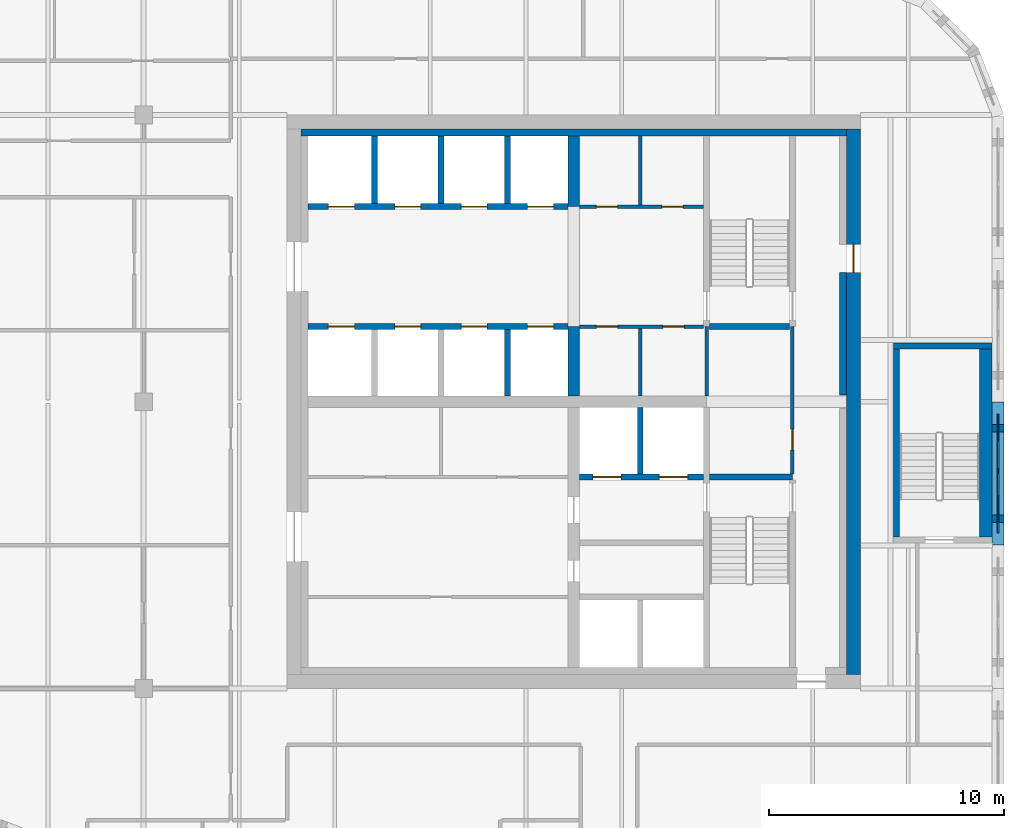
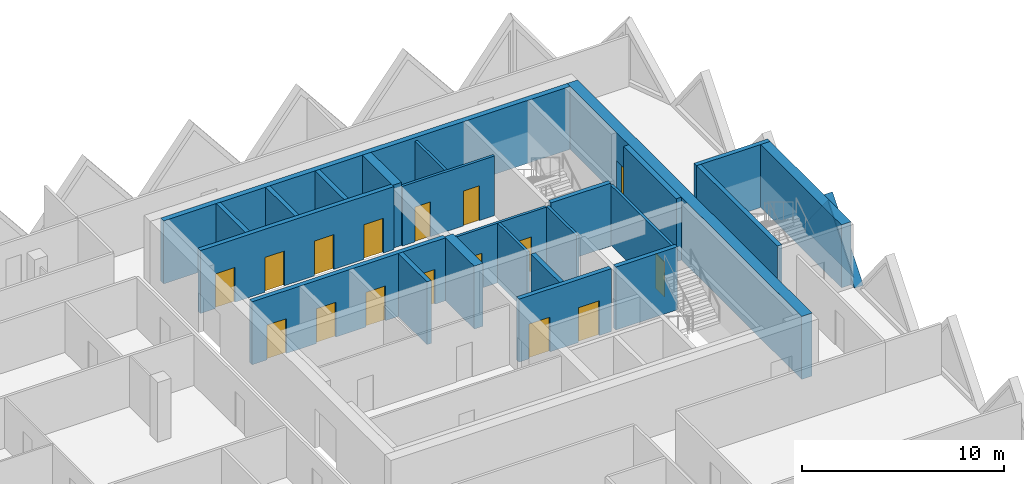
# One storey, part 8 of 12: 25 walls, 16 doors, 1 plate, 17 openings.
"""IFC4 building model written with IfcOpenShell, lengths in metres."""

from ifc_helpers import new_model, si_unit, direction, frame, frame_2d, origin, place, context, subcontext, project, spatial, polyline, rectangle, outline, extrude, source, transform, mapped, material, layer, layer_set, type_object, element, fill, save


model = new_model("IFC4")

# Units and contexts
model_context = context("Model", 3, precision=1e-05, world=origin(), true_north=direction((0.0, 1.0)))
body_context = subcontext(model_context, "Body", "Model", "MODEL_VIEW")
ifc_project = project(units=[si_unit("LENGTHUNIT", "METRE"), si_unit("AREAUNIT", "SQUARE_METRE"), si_unit("VOLUMEUNIT", "CUBIC_METRE"), si_unit("PLANEANGLEUNIT", "RADIAN"), si_unit("MASSUNIT", "GRAM", prefix="KILO")], contexts=[model_context])

# Site, building, storey
site_placement = place(None, origin())
site = spatial("IfcSite", under=ifc_project, at=site_placement, CompositionType="ELEMENT")
building_placement = place(site_placement, origin())
building = spatial("IfcBuilding", under=site, at=building_placement, Name="Tessera Gate Towers", CompositionType="ELEMENT")
storey_placement = place(building_placement, frame((0.0, 0.0, 155.39990234375)))
storey = spatial("IfcBuildingStorey", under=building, at=storey_placement, Name="L38", CompositionType="ELEMENT", Elevation=155.39990234375)

# Wall, openings, doors
ifc_material_1 = material(Name="Concrete C40/50", Category="concrete")
ifc_layer_1 = layer(ifc_material_1, 0.25)
ifc_layer_set_1 = layer_set([ifc_layer_1], Name="CORE ENCLOSURE WALL 250")
wall_type_1 = type_object("IfcWallType", Name="CORE ENCLOSURE WALL 250", PredefinedType="SOLIDWALL", material=ifc_layer_set_1)
wall_1_placement = place(storey_placement, frame((31.39990234375, 39.800048828125, 0.0), z_axis=(0.0, 0.0, 1.0), x_axis=(1.0, 0.0, 0.0)))
wall_1 = element("IfcWall", 1, at=wall_1_placement, inside=storey, type_object=wall_type_1, Name="L38 shaft and stair enclosure wall", PredefinedType="SOLIDWALL", context=body_context, shape_type="SweptSolid", body=[
    extrude(rectangle(XDim=11.050048828125, YDim=0.25, at=frame_2d((5.52490234375, 0.0))), origin(), (0.0, 0.0, 1.0), 3.800048828125),
])
shared_shape_1 = source(origin(), body_context, "Body", "SweptSolid", [
    extrude(rectangle(XDim=1.10009765625, YDim=2.10009765625, at=frame_2d((0.550048828125, 1.050048828125))), frame((0.0, 0.135009765625, 0.0), z_axis=(0.0, -1.0, 0.0), x_axis=(1.0, 0.0, 0.0)), (0.0, 0.0, 1.0), 0.27001953125),
])
opening_1_placement = place(wall_1_placement, frame((0.862548828125, 0.0, 0.0)))
opening_1 = element("IfcOpeningElement", 2, at=opening_1_placement, cuts=wall_1, Name="Opening LD-HR1", PredefinedType="OPENING", context=body_context, shape_type="MappedRepresentation", body=[
    mapped(shared_shape_1, transform((0.0, 0.0, 0.0), scale=1.0)),
])
opening_2_placement = place(wall_1_placement, frame((3.6875, 0.0, 0.0)))
opening_2 = element("IfcOpeningElement", 3, at=opening_2_placement, cuts=wall_1, Name="Opening LD-HR2", PredefinedType="OPENING", context=body_context, shape_type="MappedRepresentation", body=[
    mapped(shared_shape_1, transform((0.0, 0.0, 0.0), scale=1.0)),
])
opening_3_placement = place(wall_1_placement, frame((6.512451171875, 0.0, 0.0)))
opening_3 = element("IfcOpeningElement", 4, at=opening_3_placement, cuts=wall_1, Name="Opening LD-HR3", PredefinedType="OPENING", context=body_context, shape_type="MappedRepresentation", body=[
    mapped(shared_shape_1, transform((0.0, 0.0, 0.0), scale=1.0)),
])
opening_4_placement = place(wall_1_placement, frame((9.33740234375, 0.0, 0.0)))
opening_4 = element("IfcOpeningElement", 5, at=opening_4_placement, cuts=wall_1, Name="Opening LD-HR4", PredefinedType="OPENING", context=body_context, shape_type="MappedRepresentation", body=[
    mapped(shared_shape_1, transform((0.0, 0.0, 0.0), scale=1.0)),
])
ifc_material_2 = material(Name="Stainless steel", Category="steel")
door_type_1 = type_object("IfcDoorType", Name="CORE DOOR LD 1100x2100", OperationType="DOUBLE_DOOR_SLIDING", PredefinedType="DOOR", material=ifc_material_2)
shared_shape_2 = source(origin(), body_context, "Body", "SweptSolid", [
    extrude(rectangle(XDim=1.10009765625, YDim=2.10009765625, at=frame_2d((0.550048828125, 1.050048828125))), frame((0.0, 0.02490234375, 0.0), z_axis=(0.0, -1.0, 0.0), x_axis=(1.0, 0.0, 0.0)), (0.0, 0.0, 1.0), 0.050048828125),
])
door_1_placement = place(opening_1_placement, origin())
door_1 = element("IfcDoor", 6, at=door_1_placement, inside=storey, type_object=door_type_1, Name="Landing door HR1 L38", OperationType="DOUBLE_DOOR_SLIDING", OverallHeight=2.10009765625, OverallWidth=1.10009765625, PredefinedType="DOOR", context=body_context, shape_type="MappedRepresentation", body=[
    mapped(shared_shape_2, transform((0.0, 0.0, 0.0), scale=1.0)),
])
fill(opening_1, door_1)
door_2_placement = place(opening_2_placement, origin())
door_2 = element("IfcDoor", 7, at=door_2_placement, inside=storey, type_object=door_type_1, Name="Landing door HR2 L38", OperationType="DOUBLE_DOOR_SLIDING", OverallHeight=2.10009765625, OverallWidth=1.10009765625, PredefinedType="DOOR", context=body_context, shape_type="MappedRepresentation", body=[
    mapped(shared_shape_2, transform((0.0, 0.0, 0.0), scale=1.0)),
])
fill(opening_2, door_2)
door_3_placement = place(opening_3_placement, origin())
door_3 = element("IfcDoor", 8, at=door_3_placement, inside=storey, type_object=door_type_1, Name="Landing door HR3 L38", OperationType="DOUBLE_DOOR_SLIDING", OverallHeight=2.10009765625, OverallWidth=1.10009765625, PredefinedType="DOOR", context=body_context, shape_type="MappedRepresentation", body=[
    mapped(shared_shape_2, transform((0.0, 0.0, 0.0), scale=1.0)),
])
fill(opening_3, door_3)
door_4_placement = place(opening_4_placement, origin())
door_4 = element("IfcDoor", 9, at=door_4_placement, inside=storey, type_object=door_type_1, Name="Landing door HR4 L38", OperationType="DOUBLE_DOOR_SLIDING", OverallHeight=2.10009765625, OverallWidth=1.10009765625, PredefinedType="DOOR", context=body_context, shape_type="MappedRepresentation", body=[
    mapped(shared_shape_2, transform((0.0, 0.0, 0.0), scale=1.0)),
])
fill(opening_4, door_4)

wall_2_placement = place(storey_placement, frame((42.449951171875, 44.89990234375, 0.0), z_axis=(0.0, 0.0, 1.0), x_axis=(-1.0, 0.0, 0.0)))
wall_2 = element("IfcWall", 10, at=wall_2_placement, inside=storey, type_object=wall_type_1, Name="L38 shaft and stair enclosure wall", PredefinedType="SOLIDWALL", context=body_context, shape_type="SweptSolid", body=[
    extrude(rectangle(XDim=11.050048828125, YDim=0.25, at=frame_2d((5.52490234375, 0.0))), origin(), (0.0, 0.0, 1.0), 3.800048828125),
])
opening_5_placement = place(wall_2_placement, frame((9.08740234375, 0.0, 0.0)))
opening_5 = element("IfcOpeningElement", 11, at=opening_5_placement, cuts=wall_2, Name="Opening LD-HR5", PredefinedType="OPENING", context=body_context, shape_type="MappedRepresentation", body=[
    mapped(shared_shape_1, transform((0.0, 0.0, 0.0), scale=1.0)),
])
opening_6_placement = place(wall_2_placement, frame((6.262451171875, 0.0, 0.0)))
opening_6 = element("IfcOpeningElement", 12, at=opening_6_placement, cuts=wall_2, Name="Opening LD-HR6", PredefinedType="OPENING", context=body_context, shape_type="MappedRepresentation", body=[
    mapped(shared_shape_1, transform((0.0, 0.0, 0.0), scale=1.0)),
])
opening_7_placement = place(wall_2_placement, frame((3.4375, 0.0, 0.0)))
opening_7 = element("IfcOpeningElement", 13, at=opening_7_placement, cuts=wall_2, Name="Opening LD-HR7", PredefinedType="OPENING", context=body_context, shape_type="MappedRepresentation", body=[
    mapped(shared_shape_1, transform((0.0, 0.0, 0.0), scale=1.0)),
])
opening_8_placement = place(wall_2_placement, frame((0.612548828125, 0.0, 0.0)))
opening_8 = element("IfcOpeningElement", 14, at=opening_8_placement, cuts=wall_2, Name="Opening LD-HR8", PredefinedType="OPENING", context=body_context, shape_type="MappedRepresentation", body=[
    mapped(shared_shape_1, transform((0.0, 0.0, 0.0), scale=1.0)),
])
door_5_placement = place(opening_5_placement, origin())
door_5 = element("IfcDoor", 15, at=door_5_placement, inside=storey, type_object=door_type_1, Name="Landing door HR5 L38", OperationType="DOUBLE_DOOR_SLIDING", OverallHeight=2.10009765625, OverallWidth=1.10009765625, PredefinedType="DOOR", context=body_context, shape_type="MappedRepresentation", body=[
    mapped(shared_shape_2, transform((0.0, 0.0, 0.0), scale=1.0)),
])
fill(opening_5, door_5)
door_6_placement = place(opening_6_placement, origin())
door_6 = element("IfcDoor", 16, at=door_6_placement, inside=storey, type_object=door_type_1, Name="Landing door HR6 L38", OperationType="DOUBLE_DOOR_SLIDING", OverallHeight=2.10009765625, OverallWidth=1.10009765625, PredefinedType="DOOR", context=body_context, shape_type="MappedRepresentation", body=[
    mapped(shared_shape_2, transform((0.0, 0.0, 0.0), scale=1.0)),
])
fill(opening_6, door_6)
door_7_placement = place(opening_7_placement, origin())
door_7 = element("IfcDoor", 17, at=door_7_placement, inside=storey, type_object=door_type_1, Name="Landing door HR7 L38", OperationType="DOUBLE_DOOR_SLIDING", OverallHeight=2.10009765625, OverallWidth=1.10009765625, PredefinedType="DOOR", context=body_context, shape_type="MappedRepresentation", body=[
    mapped(shared_shape_2, transform((0.0, 0.0, 0.0), scale=1.0)),
])
fill(opening_7, door_7)
door_8_placement = place(opening_8_placement, origin())
door_8 = element("IfcDoor", 18, at=door_8_placement, inside=storey, type_object=door_type_1, Name="Landing door HR8 L38", OperationType="DOUBLE_DOOR_SLIDING", OverallHeight=2.10009765625, OverallWidth=1.10009765625, PredefinedType="DOOR", context=body_context, shape_type="MappedRepresentation", body=[
    mapped(shared_shape_2, transform((0.0, 0.0, 0.0), scale=1.0)),
])
fill(opening_8, door_8)

wall_3_placement = place(storey_placement, frame((48.22509765625, 33.39990234375, 0.0), z_axis=(0.0, 0.0, 1.0), x_axis=(-1.0, 0.0, 0.0)))
wall_3 = element("IfcWall", 19, at=wall_3_placement, inside=storey, type_object=wall_type_1, Name="L38 shaft and stair enclosure wall", PredefinedType="SOLIDWALL", context=body_context, shape_type="SweptSolid", body=[
    extrude(rectangle(XDim=5.275146484375, YDim=0.25, at=frame_2d((2.6376953125, 0.0))), origin(), (0.0, 0.0, 1.0), 3.800048828125),
])
shared_shape_3 = source(origin(), body_context, "Body", "SweptSolid", [
    extrude(rectangle(XDim=1.199951171875, YDim=2.10009765625, at=frame_2d((0.60009765625, 1.050048828125))), frame((0.0, 0.135009765625, 0.0), z_axis=(0.0, -1.0, 0.0), x_axis=(1.0, 0.0, 0.0)), (0.0, 0.0, 1.0), 0.27001953125),
])
opening_9_placement = place(wall_3_placement, frame((3.512451171875, 0.0, 0.0)))
opening_9 = element("IfcOpeningElement", 20, at=opening_9_placement, cuts=wall_3, Name="Opening LD-FF1", PredefinedType="OPENING", context=body_context, shape_type="MappedRepresentation", body=[
    mapped(shared_shape_3, transform((0.0, 0.0, 0.0), scale=1.0)),
])
opening_10_placement = place(wall_3_placement, frame((0.6875, 0.0, 0.0)))
opening_10 = element("IfcOpeningElement", 21, at=opening_10_placement, cuts=wall_3, Name="Opening LD-FF2", PredefinedType="OPENING", context=body_context, shape_type="MappedRepresentation", body=[
    mapped(shared_shape_3, transform((0.0, 0.0, 0.0), scale=1.0)),
])
ifc_material_3 = material(Name="Stainless steel", Category="steel")
door_type_2 = type_object("IfcDoorType", Name="CORE DOOR LD1200 1200x2100", OperationType="DOUBLE_DOOR_SLIDING", PredefinedType="DOOR", material=ifc_material_3)
shared_shape_4 = source(origin(), body_context, "Body", "SweptSolid", [
    extrude(rectangle(XDim=1.199951171875, YDim=2.10009765625, at=frame_2d((0.60009765625, 1.050048828125))), frame((0.0, 0.02490234375, 0.0), z_axis=(0.0, -1.0, 0.0), x_axis=(1.0, 0.0, 0.0)), (0.0, 0.0, 1.0), 0.050048828125),
])
door_9_placement = place(opening_9_placement, origin())
door_9 = element("IfcDoor", 22, at=door_9_placement, inside=storey, type_object=door_type_2, Name="Landing door FF1 L38", OperationType="DOUBLE_DOOR_SLIDING", OverallHeight=2.10009765625, OverallWidth=1.199951171875, PredefinedType="DOOR", context=body_context, shape_type="MappedRepresentation", body=[
    mapped(shared_shape_4, transform((0.0, 0.0, 0.0), scale=1.0)),
])
fill(opening_9, door_9)
door_10_placement = place(opening_10_placement, origin())
door_10 = element("IfcDoor", 23, at=door_10_placement, inside=storey, type_object=door_type_2, Name="Landing door FF2 L38", OperationType="DOUBLE_DOOR_SLIDING", OverallHeight=2.10009765625, OverallWidth=1.199951171875, PredefinedType="DOOR", context=body_context, shape_type="MappedRepresentation", body=[
    mapped(shared_shape_4, transform((0.0, 0.0, 0.0), scale=1.0)),
])
fill(opening_10, door_10)

# Walls
wall_4_placement = place(storey_placement, frame((48.47509765625, 33.39990234375, 0.0), z_axis=(0.0, 0.0, 1.0), x_axis=(1.0, 0.0, 0.0)))
element("IfcWall", 24, at=wall_4_placement, inside=storey, type_object=wall_type_1, Name="L38 shaft and stair enclosure wall", PredefinedType="SOLIDWALL", context=body_context, shape_type="SweptSolid", body=[
    extrude(rectangle(XDim=3.52490234375, YDim=0.25, at=frame_2d((1.762451171875, 0.0))), origin(), (0.0, 0.0, 1.0), 3.800048828125),
])
wall_5_placement = place(storey_placement, frame((48.47509765625, 39.800048828125, 0.0), z_axis=(0.0, 0.0, 1.0), x_axis=(1.0, 0.0, 0.0)))
element("IfcWall", 25, at=wall_5_placement, inside=storey, type_object=wall_type_1, Name="L38 shaft and stair enclosure wall", PredefinedType="SOLIDWALL", context=body_context, shape_type="SweptSolid", body=[
    extrude(rectangle(XDim=3.39990234375, YDim=0.25, at=frame_2d((1.699951171875, 0.0))), origin(), (0.0, 0.0, 1.0), 3.800048828125),
])
wall_6_placement = place(storey_placement, frame((39.875, 36.85009765625, 0.0), z_axis=(0.0, 0.0, 1.0), x_axis=(0.0, 1.0, 0.0)))
element("IfcWall", 26, at=wall_6_placement, inside=storey, type_object=wall_type_1, Name="L38 shaft and stair enclosure wall", PredefinedType="SOLIDWALL", context=body_context, shape_type="SweptSolid", body=[
    extrude(rectangle(XDim=2.824951171875, YDim=0.25, at=frame_2d((1.41259765625, 0.0))), origin(), (0.0, 0.0, 1.0), 3.800048828125),
])
wall_7_placement = place(storey_placement, frame((45.52490234375, 33.52490234375, 0.0), z_axis=(0.0, 0.0, 1.0), x_axis=(0.0, 1.0, 0.0)))
element("IfcWall", 27, at=wall_7_placement, inside=storey, type_object=wall_type_1, Name="L38 shaft and stair enclosure wall", PredefinedType="SOLIDWALL", context=body_context, shape_type="SweptSolid", body=[
    extrude(rectangle(XDim=2.8251953125, YDim=0.25, at=frame_2d((1.41259765625, 0.0))), origin(), (0.0, 0.0, 1.0), 3.800048828125),
])
for number, where, z_axis, x_axis, name in (
    (28, (34.22509765625, 45.02490234375, 0.0), (0.0, 0.0, 1.0), (0.0, 1.0, 0.0), "L38 shaft and stair enclosure wall"),
    (29, (37.050048828125, 45.02490234375, 0.0), (0.0, 0.0, 1.0), (0.0, 1.0, 0.0), "L38 shaft and stair enclosure wall"),
    (30, (39.875, 45.02490234375, 0.0), (0.0, 0.0, 1.0), (0.0, 1.0, 0.0), "L38 shaft and stair enclosure wall"),
):
    element("IfcWall", number, at=place(storey_placement, frame(where, z_axis=z_axis, x_axis=x_axis)), inside=storey, type_object=wall_type_1, Name=name, PredefinedType="SOLIDWALL", context=body_context, shape_type="SweptSolid", body=[
        extrude(rectangle(XDim=2.875, YDim=0.25, at=frame_2d((1.4375, 0.0))), origin(), (0.0, 0.0, 1.0), 3.800048828125),
    ])
wall_8_placement = place(storey_placement, frame((56.425048828125, 30.85009765625, 0.0), z_axis=(0.0, 0.0, 1.0), x_axis=(0.0, 1.0, 0.0)))
element("IfcWall", 31, at=wall_8_placement, inside=storey, type_object=wall_type_1, Name="L38 ST5 enclosure wall", PredefinedType="SOLIDWALL", context=body_context, shape_type="SweptSolid", body=[
    extrude(rectangle(XDim=8.0, YDim=0.25, at=frame_2d((4.0, 0.0))), origin(), (0.0, 0.0, 1.0), 3.800048828125),
])
wall_9_placement = place(storey_placement, frame((56.300048828125, 38.97509765625, 0.0), z_axis=(0.0, 0.0, 1.0), x_axis=(1.0, 0.0, 0.0)))
element("IfcWall", 32, at=wall_9_placement, inside=storey, type_object=wall_type_1, Name="L38 ST5 enclosure wall", PredefinedType="SOLIDWALL", context=body_context, shape_type="SweptSolid", body=[
    extrude(rectangle(XDim=4.199951171875, YDim=0.25, at=frame_2d((2.10009765625, 0.0))), origin(), (0.0, 0.0, 1.0), 3.800048828125),
])
ifc_material_4 = material(Name="Concrete C40/50", Category="concrete")
ifc_layer_2 = layer(ifc_material_4, 0.550048828125)
ifc_layer_set_2 = layer_set([ifc_layer_2], Name="CORE ENCLOSURE WALL 550")
wall_type_2 = type_object("IfcWallType", Name="CORE ENCLOSURE WALL 550", PredefinedType="SOLIDWALL", material=ifc_layer_set_2)
wall_10_placement = place(storey_placement, frame((60.22509765625, 38.85009765625, 0.0), z_axis=(0.0, 0.0, 1.0), x_axis=(0.0, -1.0, 0.0)))
element("IfcWall", 33, at=wall_10_placement, inside=storey, type_object=wall_type_2, Name="L38 ST5 enclosure wall", PredefinedType="SOLIDWALL", context=body_context, shape_type="SweptSolid", body=[
    extrude(rectangle(XDim=8.0, YDim=0.550048828125, at=frame_2d((4.0, 0.0))), origin(), (0.0, 0.0, 1.0), 3.800048828125),
])

# Wall, opening, door
ifc_material_5 = material(Name="Concrete C50/60", Category="concrete")
ifc_layer_3 = layer(ifc_material_5, 0.60009765625)
ifc_layer_set_3 = layer_set([ifc_layer_3], Name="CORE SHEAR WALL 600 C50/60")
wall_type_3 = type_object("IfcWallType", Name="CORE SHEAR WALL 600 C50/60", PredefinedType="SHEAR", material=ifc_layer_set_3)
wall_11_placement = place(storey_placement, frame((54.60009765625, 48.199951171875, 0.0), z_axis=(0.0, 0.0, 1.0), x_axis=(0.0, -1.0, 0.0)))
wall_11 = element("IfcWall", 34, at=wall_11_placement, inside=storey, type_object=wall_type_3, Name="Core wall E L38", PredefinedType="SHEAR", context=body_context, shape_type="SweptSolid", body=[
    extrude(rectangle(XDim=23.199951171875, YDim=0.60009765625, at=frame_2d((11.60009765625, 0.0))), origin(), (0.0, 0.0, 1.0), 3.800048828125),
])
shared_shape_5 = source(origin(), body_context, "Body", "SweptSolid", [
    extrude(rectangle(XDim=1.199951171875, YDim=2.10009765625, at=frame_2d((0.60009765625, 1.050048828125))), frame((0.0, 0.31005859375, 0.0), z_axis=(0.0, -1.0, 0.0), x_axis=(1.0, 0.0, 0.0)), (0.0, 0.0, 1.0), 0.6201171875),
])
opening_11_placement = place(wall_11_placement, frame((4.89990234375, 0.0, 0.0)))
opening_11 = element("IfcOpeningElement", 35, at=opening_11_placement, cuts=wall_11, Name="Opening ED-T1-25-04", PredefinedType="OPENING", context=body_context, shape_type="MappedRepresentation", body=[
    mapped(shared_shape_5, transform((0.0, 0.0, 0.0), scale=1.0)),
])
ifc_material_6 = material(Name="Hollow steel fire door", Category="steel")
door_type_3 = type_object("IfcDoorType", Name="CORE DOOR ED 1200x2100", OperationType="NOTDEFINED", PredefinedType="DOOR", material=ifc_material_6)
door_11_placement = place(opening_11_placement, origin())
door_11 = element("IfcDoor", 36, at=door_11_placement, inside=storey, type_object=door_type_3, Name="Core exit door", OperationType="SINGLE_SWING_LEFT", OverallHeight=2.10009765625, OverallWidth=1.199951171875, PredefinedType="DOOR", context=body_context, shape_type="MappedRepresentation", body=[
    mapped(shared_shape_4, transform((0.0, 0.0, 0.0), scale=1.0)),
])
fill(opening_11, door_11)

# Walls
ifc_material_7 = material(Name="Concrete C50/60", Category="concrete")
ifc_layer_4 = layer(ifc_material_7, 0.5)
ifc_layer_set_4 = layer_set([ifc_layer_4], Name="CORE SPINE WALL 500 C50/60")
wall_type_4 = type_object("IfcWallType", Name="CORE SPINE WALL 500 C50/60", PredefinedType="SHEAR", material=ifc_layer_set_4)
wall_12_placement = place(storey_placement, frame((42.699951171875, 36.85009765625, 0.0), z_axis=(0.0, 0.0, 1.0), x_axis=(0.0, 1.0, 0.0)))
element("IfcWall", 37, at=wall_12_placement, inside=storey, type_object=wall_type_4, Name="Core wall spine L38", PredefinedType="SHEAR", context=body_context, shape_type="SweptSolid", body=[
    extrude(rectangle(XDim=2.949951171875, YDim=0.5, at=frame_2d((1.47509765625, 0.0))), origin(), (0.0, 0.0, 1.0), 3.800048828125),
])
wall_13_placement = place(storey_placement, frame((42.699951171875, 44.89990234375, 0.0), z_axis=(0.0, 0.0, 1.0), x_axis=(0.0, 1.0, 0.0)))
element("IfcWall", 38, at=wall_13_placement, inside=storey, type_object=wall_type_4, Name="Core wall spine L38", PredefinedType="SHEAR", context=body_context, shape_type="SweptSolid", body=[
    extrude(rectangle(XDim=3.0, YDim=0.5, at=frame_2d((1.5, 0.0))), origin(), (0.0, 0.0, 1.0), 3.800048828125),
])
ifc_material_8 = material(Name="Concrete C50/60", Category="concrete")
ifc_layer_5 = layer(ifc_material_8, 0.300048828125)
ifc_layer_set_5 = layer_set([ifc_layer_5], Name="CORE WALL THICKENING 300")
wall_type_5 = type_object("IfcWallType", Name="CORE WALL THICKENING 300", PredefinedType="SOLIDWALL", material=ifc_layer_set_5)
wall_14_placement = place(storey_placement, frame((31.10009765625, 48.050048828125, 0.0), z_axis=(0.0, 0.0, 1.0), x_axis=(1.0, 0.0, 0.0)))
element("IfcWall", 39, at=wall_14_placement, inside=storey, type_object=wall_type_5, Name="Core wall thickening N L38", PredefinedType="SOLIDWALL", context=body_context, shape_type="SweptSolid", body=[
    extrude(rectangle(XDim=23.199951171875, YDim=0.300048828125, at=frame_2d((11.60009765625, 0.0))), origin(), (0.0, 0.0, 1.0), 3.800048828125),
])
wall_15_placement = place(storey_placement, frame((54.14990234375, 36.8798828125, 0.0), z_axis=(0.0, 0.0, 1.0), x_axis=(0.0, 1.0, 0.0)))
element("IfcWall", 40, at=wall_15_placement, inside=storey, type_object=wall_type_5, Name="Core wall thickening E L38", PredefinedType="SOLIDWALL", context=body_context, shape_type="SweptSolid", body=[
    extrude(rectangle(XDim=5.22021484375, YDim=0.300048828125, at=frame_2d((2.610107421875, 0.0))), origin(), (0.0, 0.0, 1.0), 3.800048828125),
])

# Wall, opening, door
ifc_material_9 = material(Name="Gypsum board on steel studs", Category="steel")
ifc_layer_6 = layer(ifc_material_9, 0.14990234375)
ifc_layer_set_6 = layer_set([ifc_layer_6], Name="SERVICE ROOM WALL 150")
wall_type_6 = type_object("IfcWallType", Name="SERVICE ROOM WALL 150", PredefinedType="PARTITIONING", material=ifc_layer_set_6)
wall_16_placement = place(storey_placement, frame((52.0, 33.52490234375, 0.0), z_axis=(0.0, 0.0, 1.0), x_axis=(0.0, 1.0, 0.0)))
wall_16 = element("IfcWall", 41, at=wall_16_placement, inside=storey, type_object=wall_type_6, Name="L38 service room wall", PredefinedType="PARTITIONING", context=body_context, shape_type="SweptSolid", body=[
    extrude(rectangle(XDim=6.275146484375, YDim=0.14990234375, at=frame_2d((3.1376953125, 0.0))), origin(), (0.0, 0.0, 1.0), 3.60009765625),
])
shared_shape_6 = source(origin(), body_context, "Body", "SweptSolid", [
    extrude(rectangle(XDim=0.89990234375, YDim=2.10009765625, at=frame_2d((0.449951171875, 1.050048828125))), frame((0.0, 0.0849609375, 0.0), z_axis=(0.0, -1.0, 0.0), x_axis=(1.0, 0.0, 0.0)), (0.0, 0.0, 1.0), 0.169921875),
])
opening_12_placement = place(wall_16_placement, frame((1.02490234375, 0.0, 0.0)))
opening_12 = element("IfcOpeningElement", 42, at=opening_12_placement, cuts=wall_16, Name="Opening RD-T1-25-10", PredefinedType="OPENING", context=body_context, shape_type="MappedRepresentation", body=[
    mapped(shared_shape_6, transform((0.0, 0.0, 0.0), scale=1.0)),
])
ifc_material_10 = material(Name="Hollow steel fire door", Category="steel")
door_type_4 = type_object("IfcDoorType", Name="CORE DOOR RD 900x2100", OperationType="NOTDEFINED", PredefinedType="DOOR", material=ifc_material_10)
shared_shape_7 = source(origin(), body_context, "Body", "SweptSolid", [
    extrude(rectangle(XDim=0.89990234375, YDim=2.10009765625, at=frame_2d((0.449951171875, 1.050048828125))), frame((0.0, 0.02490234375, 0.0), z_axis=(0.0, -1.0, 0.0), x_axis=(1.0, 0.0, 0.0)), (0.0, 0.0, 1.0), 0.050048828125),
])
door_12_placement = place(opening_12_placement, origin())
door_12 = element("IfcDoor", 43, at=door_12_placement, inside=storey, type_object=door_type_4, Name="Core room door", OperationType="SINGLE_SWING_LEFT", OverallHeight=2.10009765625, OverallWidth=0.89990234375, PredefinedType="DOOR", context=body_context, shape_type="MappedRepresentation", body=[
    mapped(shared_shape_7, transform((0.0, 0.0, 0.0), scale=1.0)),
])
fill(opening_12, door_12)

# Wall, openings, doors
wall_17_placement = place(storey_placement, frame((48.22509765625, 39.800048828125, 0.0), z_axis=(0.0, 0.0, 1.0), x_axis=(-1.0, 0.0, 0.0)))
wall_17 = element("IfcWall", 44, at=wall_17_placement, inside=storey, type_object=wall_type_6, Name="L38 service room wall", PredefinedType="PARTITIONING", context=body_context, shape_type="SweptSolid", body=[
    extrude(rectangle(XDim=5.275146484375, YDim=0.14990234375, at=frame_2d((2.6376953125, 0.0))), origin(), (0.0, 0.0, 1.0), 3.60009765625),
])
opening_13_placement = place(wall_17_placement, frame((3.66259765625, 0.0, 0.0)))
opening_13 = element("IfcOpeningElement", 45, at=opening_13_placement, cuts=wall_17, Name="Opening RD-T1-25-11", PredefinedType="OPENING", context=body_context, shape_type="MappedRepresentation", body=[
    mapped(shared_shape_6, transform((0.0, 0.0, 0.0), scale=1.0)),
])
opening_14_placement = place(wall_17_placement, frame((0.83740234375, 0.0, 0.0)))
opening_14 = element("IfcOpeningElement", 46, at=opening_14_placement, cuts=wall_17, Name="Opening RD-T1-25-12", PredefinedType="OPENING", context=body_context, shape_type="MappedRepresentation", body=[
    mapped(shared_shape_6, transform((0.0, 0.0, 0.0), scale=1.0)),
])
door_13_placement = place(opening_13_placement, origin())
door_13 = element("IfcDoor", 47, at=door_13_placement, inside=storey, type_object=door_type_4, Name="Core room door", OperationType="SINGLE_SWING_RIGHT", OverallHeight=2.10009765625, OverallWidth=0.89990234375, PredefinedType="DOOR", context=body_context, shape_type="MappedRepresentation", body=[
    mapped(shared_shape_7, transform((0.0, 0.0, 0.0), scale=1.0)),
])
fill(opening_13, door_13)
door_14_placement = place(opening_14_placement, origin())
door_14 = element("IfcDoor", 48, at=door_14_placement, inside=storey, type_object=door_type_4, Name="Core room door", OperationType="SINGLE_SWING_LEFT", OverallHeight=2.10009765625, OverallWidth=0.89990234375, PredefinedType="DOOR", context=body_context, shape_type="MappedRepresentation", body=[
    mapped(shared_shape_7, transform((0.0, 0.0, 0.0), scale=1.0)),
])
fill(opening_14, door_14)

wall_18_placement = place(storey_placement, frame((42.949951171875, 44.89990234375, 0.0), z_axis=(0.0, 0.0, 1.0), x_axis=(1.0, 0.0, 0.0)))
wall_18 = element("IfcWall", 49, at=wall_18_placement, inside=storey, type_object=wall_type_6, Name="L38 service room wall", PredefinedType="PARTITIONING", context=body_context, shape_type="SweptSolid", body=[
    extrude(rectangle(XDim=5.275146484375, YDim=0.14990234375, at=frame_2d((2.6376953125, 0.0))), origin(), (0.0, 0.0, 1.0), 3.60009765625),
])
opening_15_placement = place(wall_18_placement, frame((0.71240234375, 0.0, 0.0)))
opening_15 = element("IfcOpeningElement", 50, at=opening_15_placement, cuts=wall_18, Name="Opening RD-T1-25-13", PredefinedType="OPENING", context=body_context, shape_type="MappedRepresentation", body=[
    mapped(shared_shape_6, transform((0.0, 0.0, 0.0), scale=1.0)),
])
opening_16_placement = place(wall_18_placement, frame((3.5, 0.0, 0.0)))
opening_16 = element("IfcOpeningElement", 51, at=opening_16_placement, cuts=wall_18, Name="Opening RD-T1-25-14", PredefinedType="OPENING", context=body_context, shape_type="MappedRepresentation", body=[
    mapped(shared_shape_6, transform((0.0, 0.0, 0.0), scale=1.0)),
])
door_15_placement = place(opening_15_placement, origin())
door_15 = element("IfcDoor", 52, at=door_15_placement, inside=storey, type_object=door_type_4, Name="Core room door", OperationType="SINGLE_SWING_LEFT", OverallHeight=2.10009765625, OverallWidth=0.89990234375, PredefinedType="DOOR", context=body_context, shape_type="MappedRepresentation", body=[
    mapped(shared_shape_7, transform((0.0, 0.0, 0.0), scale=1.0)),
])
fill(opening_15, door_15)
door_16_placement = place(opening_16_placement, origin())
door_16 = element("IfcDoor", 53, at=door_16_placement, inside=storey, type_object=door_type_4, Name="Core room door", OperationType="SINGLE_SWING_RIGHT", OverallHeight=2.10009765625, OverallWidth=0.89990234375, PredefinedType="DOOR", context=body_context, shape_type="MappedRepresentation", body=[
    mapped(shared_shape_7, transform((0.0, 0.0, 0.0), scale=1.0)),
])
fill(opening_16, door_16)

# Walls
wall_19_placement = place(storey_placement, frame((45.52490234375, 36.85009765625, 0.0), z_axis=(0.0, 0.0, 1.0), x_axis=(0.0, 1.0, 0.0)))
element("IfcWall", 54, at=wall_19_placement, inside=storey, type_object=wall_type_6, Name="L38 service room wall", PredefinedType="PARTITIONING", context=body_context, shape_type="SweptSolid", body=[
    extrude(rectangle(XDim=2.875, YDim=0.14990234375, at=frame_2d((1.4375, 0.0))), origin(), (0.0, 0.0, 1.0), 3.60009765625),
])
wall_20_placement = place(storey_placement, frame((48.35009765625, 36.85009765625, 0.0), z_axis=(0.0, 0.0, 1.0), x_axis=(0.0, 1.0, 0.0)))
element("IfcWall", 55, at=wall_20_placement, inside=storey, type_object=wall_type_6, Name="L38 service room wall", PredefinedType="PARTITIONING", context=body_context, shape_type="SweptSolid", body=[
    extrude(rectangle(XDim=2.949951171875, YDim=0.14990234375, at=frame_2d((1.47509765625, 0.0))), origin(), (0.0, 0.0, 1.0), 3.60009765625),
])
wall_21_placement = place(storey_placement, frame((45.52490234375, 44.97509765625, 0.0), z_axis=(0.0, 0.0, 1.0), x_axis=(0.0, 1.0, 0.0)))
element("IfcWall", 56, at=wall_21_placement, inside=storey, type_object=wall_type_6, Name="L38 service room wall", PredefinedType="PARTITIONING", context=body_context, shape_type="SweptSolid", body=[
    extrude(rectangle(XDim=2.9248046875, YDim=0.14990234375, at=frame_2d((1.46240234375, 0.0))), origin(), (0.0, 0.0, 1.0), 3.60009765625),
])

# Wall, opening, plate
ifc_material_11 = material(Name="Precast concrete C60/75 white", Category="concrete")
ifc_layer_7 = layer(ifc_material_11, 0.5)
ifc_layer_set_7 = layer_set([ifc_layer_7], Name="TS2 half tessera")
wall_type_7 = type_object("IfcWallType", Name="TS2 half tessera", PredefinedType="SOLIDWALL", material=ifc_layer_set_7)
shared_shape_8 = source(origin(), body_context, "Body", "SweptSolid", [
    extrude(outline(polyline([(6.10009765625, 0.0), (3.050048828125, 3.800048828125), (0.0, 0.0), (6.10009765625, 0.0)])), frame((0.0, 0.25, 0.0), z_axis=(0.0, -1.0, 0.0), x_axis=(1.0, 0.0, 0.0)), (0.0, 0.0, 1.0), 0.5),
])
wall_22_placement = place(storey_placement, frame((60.75, 30.5, 0.0), z_axis=(0.0, 0.0, 1.0), x_axis=(0.0, 1.0, 0.0)))
wall_22 = element("IfcWall", 57, at=wall_22_placement, inside=storey, type_object=wall_type_7, Name="Precast half tessera T1 TS2-0191", PredefinedType="SOLIDWALL", context=body_context, shape_type="MappedRepresentation", body=[
    mapped(shared_shape_8, transform((0.0, 0.0, 0.0), scale=1.0)),
])
shared_shape_9 = source(origin(), body_context, "Body", "SweptSolid", [
    extrude(outline(polyline([(5.578857421875, 0.25), (3.050048828125, 3.400634765625), (0.521240234375, 0.25), (5.578857421875, 0.25)])), frame((0.0, 0.260009765625, 0.0), z_axis=(0.0, -1.0, 0.0), x_axis=(1.0, 0.0, 0.0)), (0.0, 0.0, 1.0), 0.52001953125),
])
opening_17_placement = place(wall_22_placement, origin())
opening_17 = element("IfcOpeningElement", 58, at=opening_17_placement, cuts=wall_22, Name="Opening T1-PL1-0389", PredefinedType="OPENING", context=body_context, shape_type="MappedRepresentation", body=[
    mapped(shared_shape_9, transform((0.0, 0.0, 0.0), scale=1.0)),
])
ifc_material_12 = material(Name="Low-e laminated glass", Category="glass")
ifc_layer_8 = layer(ifc_material_12, 0.06005859375)
ifc_layer_set_8 = layer_set([ifc_layer_8], Name="PL1 triangular pane")
plate_type = type_object("IfcPlateType", Name="PL1 triangular pane", PredefinedType="SHEET", material=ifc_layer_set_8)
shared_shape_10 = source(origin(), body_context, "Body", "SweptSolid", [
    extrude(outline(polyline([(5.578857421875, 0.25), (3.050048828125, 3.400634765625), (0.521240234375, 0.25), (5.578857421875, 0.25)])), frame((0.0, 0.030029296875, 0.0), z_axis=(0.0, -1.0, 0.0), x_axis=(1.0, 0.0, 0.0)), (0.0, 0.0, 1.0), 0.06005859375),
])
plate_placement = place(opening_17_placement, origin())
plate = element("IfcPlate", 59, at=plate_placement, inside=storey, type_object=plate_type, Name="Glass pane T1 PL1-0389", PredefinedType="SHEET", context=body_context, shape_type="MappedRepresentation", body=[
    mapped(shared_shape_10, transform((0.0, 0.0, 0.0), scale=1.0)),
])
fill(opening_17, plate)

save(model, "model.ifc")
